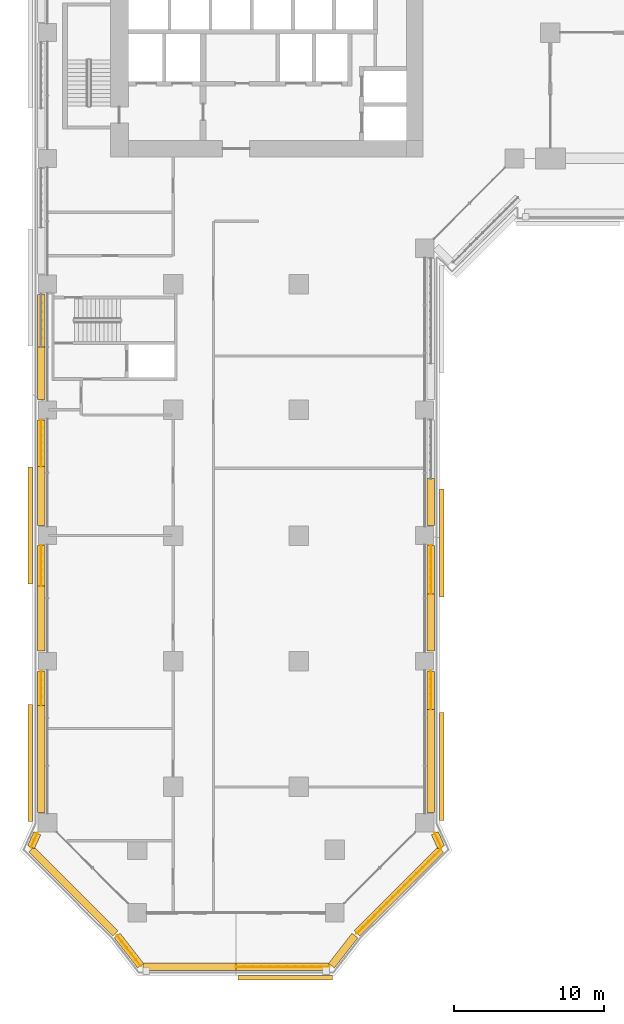
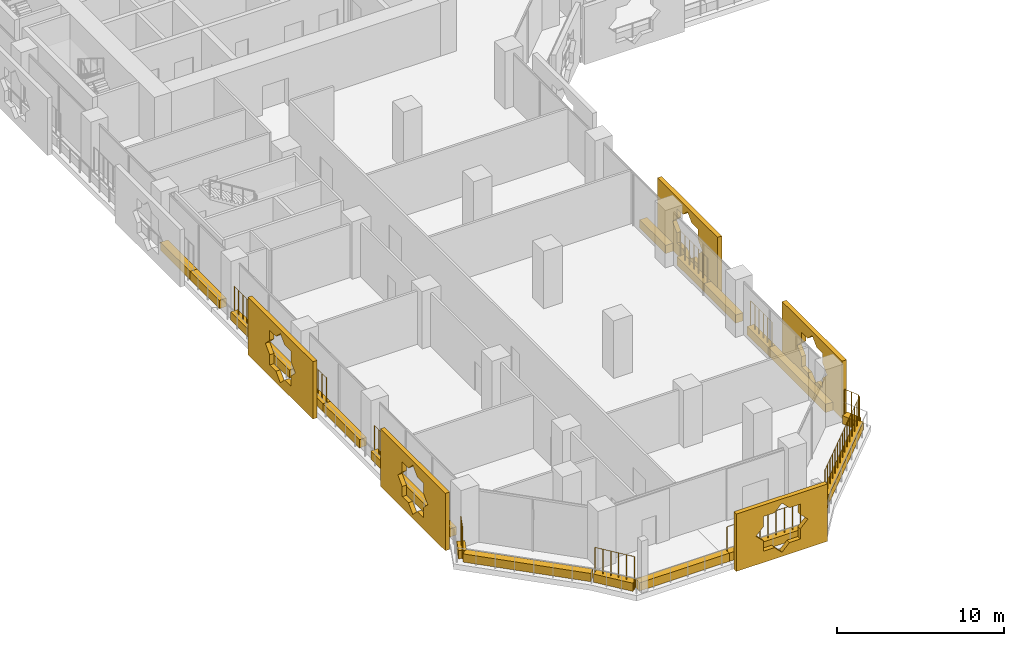
# One storey, part 18 of 27: 26 coverings, 10 railings.
"""IFC4 building model written with IfcOpenShell, lengths in metres."""

import ifcopenshell
import ifcopenshell.guid

model = None  # the IFC model being written
_history = None  # IfcOwnerHistory: only IFC2X3 demands one
_inside = {}  # id of a spatial element -> (the spatial element, [elements in it])
_under = {}  # id of a project, library or spatial element -> (it, [spatial elements below it])
_declared = {}  # id of a project -> (the project, [libraries it declares])
_typed = {}  # id of a type object -> (the type object, [elements of that type])
_made_of = {}  # id of a material, layer set ... -> (it, [elements and type objects made of it])


def new_model(schema):
    """Start an empty IFC model of exactly this schema.

    Asked for "IFC4X3", IfcOpenShell would pick the latest addendum, in which some entities
    have other attributes; the version numbers below select the first issue.
    IFC2X3 requires an IfcOwnerHistory on every rooted entity: one is made here for all.
    """
    global model, _history
    if schema == "IFC4X3":
        model = ifcopenshell.file(schema_version=(4, 3, 0, 0))
    else:
        model = ifcopenshell.file(schema=schema)
    _inside.clear()
    _under.clear()
    _declared.clear()
    _typed.clear()
    _made_of.clear()
    _history = None
    if model.schema == "IFC2X3":
        org = make("IfcOrganization", Name="unknown")
        user = make(
            "IfcPersonAndOrganization",
            ThePerson=make("IfcPerson", FamilyName="unknown"),
            TheOrganization=org,
        )
        app = make(
            "IfcApplication",
            ApplicationDeveloper=org,
            Version="unknown",
            ApplicationFullName="unknown",
            ApplicationIdentifier="unknown",
        )
        _history = make(
            "IfcOwnerHistory",
            OwningUser=user,
            OwningApplication=app,
            ChangeAction="ADDED",
            CreationDate=0,
        )
    return model


def make(cls, **values):
    """One entity of the class cls with the attributes given. An attribute that is None is left unset."""
    return model.create_entity(
        cls, **{name: value for name, value in values.items() if value is not None}
    )


def rooted(cls, **values):
    """An entity with a GlobalId (a new one), such as an element, a storey or a relation."""
    return make(cls, GlobalId=ifcopenshell.guid.new(), OwnerHistory=_history, **values)


def si_unit(unit_type, name, prefix=None):
    """IfcSIUnit, for example si_unit("LENGTHUNIT", "METRE", prefix="MILLI")."""
    return make("IfcSIUnit", UnitType=unit_type, Prefix=prefix, Name=name)


def assignment(units):
    """IfcUnitAssignment: the units of a project."""
    return None if units is None else make("IfcUnitAssignment", Units=units)


def point(xyz):
    """IfcCartesianPoint."""
    return None if xyz is None else make("IfcCartesianPoint", Coordinates=xyz)


def direction(xyz):
    """IfcDirection."""
    return None if xyz is None else make("IfcDirection", DirectionRatios=xyz)


def frame(location, z_axis=None, x_axis=None):
    """IfcAxis2Placement3D, a coordinate frame: its origin and axes. An axis left out is left unset."""
    return make(
        "IfcAxis2Placement3D",
        Location=point(location),
        Axis=direction(z_axis),
        RefDirection=direction(x_axis),
    )


def frame_2d(location, x_axis=None):
    """IfcAxis2Placement2D, a coordinate frame in the plane: its origin and x axis."""
    return make(
        "IfcAxis2Placement2D", Location=point(location), RefDirection=direction(x_axis)
    )


def origin():
    """The frame at (0, 0, 0) with its axes left unset."""
    return frame((0.0, 0.0, 0.0))


def origin_2d():
    """The frame at (0, 0) in the plane with its x axis left unset."""
    return frame_2d((0.0, 0.0))


def place(relative_to, where):
    """IfcLocalPlacement: puts the frame where relative to a parent placement (None: the world)."""
    return make(
        "IfcLocalPlacement", PlacementRelTo=relative_to, RelativePlacement=where
    )


def context(
    kind, dimensions, precision=None, world=None, true_north=None, identifier=None
):
    """IfcGeometricRepresentationContext, for example the 3D "Model" context."""
    return make(
        "IfcGeometricRepresentationContext",
        ContextIdentifier=identifier,
        ContextType=kind,
        CoordinateSpaceDimension=dimensions,
        Precision=precision,
        WorldCoordinateSystem=world,
        TrueNorth=true_north,
    )


def subcontext(parent, identifier, kind, view, scale=None):
    """IfcGeometricRepresentationSubContext, for example "Body" below "Model"."""
    return make(
        "IfcGeometricRepresentationSubContext",
        ContextIdentifier=identifier,
        ContextType=kind,
        ParentContext=parent,
        TargetScale=scale,
        TargetView=view,
    )


def project(units=None, contexts=None):
    """IfcProject with its units and contexts."""
    return rooted(
        "IfcProject",
        Name="project",
        RepresentationContexts=contexts,
        UnitsInContext=assignment(units),
    )


def spatial(cls, under=None, at=None, **own):
    """A site, building, storey or space (cls), placed at a placement, below another one or the project."""
    s = rooted(cls, ObjectPlacement=at, **own)
    if under is not None:
        _under.setdefault(under.id(), (under, []))[1].append(s)
    return s


def polyline(points):
    """IfcPolyline through the points."""
    return make("IfcPolyline", Points=[point(p) for p in points])


def profile(cls, at=None, kind="AREA", **sizes):
    """A parametric profile (cls). Its sizes go by their IFC names, for example OverallWidth=200.0."""
    return make(cls, ProfileType=kind, Position=at, **sizes)


def rectangle(**sizes):
    """IfcRectangleProfileDef."""
    return profile("IfcRectangleProfileDef", **sizes)


def circle(**sizes):
    """IfcCircleProfileDef."""
    return profile("IfcCircleProfileDef", **sizes)


def outline(outer, holes=None, kind="AREA"):
    """IfcArbitraryClosedProfileDef: a profile drawn as a closed curve; with holes, ...WithVoids."""
    if holes is None:
        return make("IfcArbitraryClosedProfileDef", ProfileType=kind, OuterCurve=outer)
    return make(
        "IfcArbitraryProfileDefWithVoids",
        ProfileType=kind,
        OuterCurve=outer,
        InnerCurves=holes,
    )


def extrude(swept, where, along, depth):
    """IfcExtrudedAreaSolid: the profile swept, set in the frame where, extruded along a direction by depth."""
    return make(
        "IfcExtrudedAreaSolid",
        SweptArea=swept,
        Position=where,
        ExtrudedDirection=direction(along),
        Depth=depth,
    )


def shape(context_of_items, identifier, shape_type, items):
    """IfcShapeRepresentation: the items that make up one representation, for example the "Body"."""
    return make(
        "IfcShapeRepresentation",
        ContextOfItems=context_of_items,
        RepresentationIdentifier=identifier,
        RepresentationType=shape_type,
        Items=items,
    )


def material(Name=None, Category=None):
    """IfcMaterial."""
    return make("IfcMaterial", Name=Name, Category=Category)


def material_profile(
    of_material, cross_section, Name=None, Category=None, Priority=None
):
    """IfcMaterialProfile: a cross section and its material."""
    return make(
        "IfcMaterialProfile",
        Name=Name,
        Material=of_material,
        Profile=cross_section,
        Priority=Priority,
        Category=Category,
    )


def profile_set(profiles, Name=None, composite=None):
    """IfcMaterialProfileSet."""
    return make(
        "IfcMaterialProfileSet",
        Name=Name,
        MaterialProfiles=profiles,
        CompositeProfile=composite,
    )


def made_of(thing, what):
    """Note that an element or type object is made of a material, layer set ...; save() writes the relation."""
    if what is not None:
        _made_of.setdefault(what.id(), (what, []))[1].append(thing)
    return thing


def type_object(cls, material=None, **own):
    """A type object (cls), such as IfcWallType, which elements share."""
    return made_of(rooted(cls, **own), material)


def element(
    cls,
    number,
    at=None,
    inside=None,
    cuts=None,
    type_object=None,
    material=None,
    context=None,
    identifier="Body",
    shape_type=None,
    held_by="IfcProductDefinitionShape",
    body=None,
    shapes=None,
    **own,
):
    """One element of the class cls, such as IfcWall. Its Tag is "e" and its number.

    at: its placement. inside: the storey or other place that contains it. cuts: it is an
    opening in that element (IfcRelVoidsElement). A single representation is given by context,
    identifier, shape_type and body (its items); several are given by shapes. held_by: the class
    of the entity that holds the representations. save() writes the other relations.
    """
    e = rooted(cls, Tag="e%d" % number, ObjectPlacement=at, **own)
    if body is not None:
        shapes = [shape(context, identifier, shape_type, body)]
    if shapes is not None:
        e.Representation = make(held_by, Representations=shapes)
    if inside is not None:
        _inside.setdefault(inside.id(), (inside, []))[1].append(e)
    if cuts is not None:
        rooted(
            "IfcRelVoidsElement", RelatingBuildingElement=cuts, RelatedOpeningElement=e
        )
    if type_object is not None:
        _typed.setdefault(type_object.id(), (type_object, []))[1].append(e)
    return made_of(e, material)


def aggregate(whole, parts):
    """IfcRelAggregates: a whole, such as a stair, and the parts it consists of."""
    return rooted("IfcRelAggregates", RelatingObject=whole, RelatedObjects=parts)


def save(model, path):
    """Write the relations noted so far, then the file.

    IfcRelAggregates (storeys below a building ...), IfcRelContainedInSpatialStructure (elements
    in a storey), IfcRelDefinesByType, IfcRelAssociatesMaterial and IfcRelDeclares: one each for
    every whole, place, type object, material and project.
    """
    for whole, parts in _under.values():
        aggregate(whole, parts)
    for where, things in _inside.values():
        rooted(
            "IfcRelContainedInSpatialStructure",
            RelatedElements=things,
            RelatingStructure=where,
        )
    for kind, things in _typed.values():
        rooted("IfcRelDefinesByType", RelatedObjects=things, RelatingType=kind)
    for what, things in _made_of.values():
        rooted("IfcRelAssociatesMaterial", RelatedObjects=things, RelatingMaterial=what)
    for by, libraries in _declared.values():
        rooted("IfcRelDeclares", RelatingContext=by, RelatedDefinitions=libraries)
    model.write(path)


model = new_model("IFC4")

# Units and contexts
model_context = context("Model", 3, precision=1e-05, world=origin(), true_north=direction((0.0, 1.0)))
body_context = subcontext(model_context, "Body", "Model", "MODEL_VIEW")
ifc_project = project(units=[si_unit("LENGTHUNIT", "METRE"), si_unit("AREAUNIT", "SQUARE_METRE"), si_unit("VOLUMEUNIT", "CUBIC_METRE"), si_unit("PLANEANGLEUNIT", "RADIAN"), si_unit("MASSUNIT", "GRAM", prefix="KILO")], contexts=[model_context])

# Site, building, storey
site_placement = place(None, origin())
site = spatial("IfcSite", under=ifc_project, at=site_placement, CompositionType="ELEMENT")
building_placement = place(site_placement, origin())
building = spatial("IfcBuilding", under=site, at=building_placement, Name="Kawkab Arch Medical Tower", CompositionType="ELEMENT")
storey_placement = place(building_placement, frame((0.0, 0.0, 39.199951171875)))
storey = spatial("IfcBuildingStorey", under=building, at=storey_placement, Name="L08", CompositionType="ELEMENT", Elevation=39.199951171875)

# Coverings
ifc_material_1 = material(Name="Bronze anodised aluminium mashrabiya panel, eight-point star pattern", Category="aluminium")
ifc_material_profile_1 = material_profile(ifc_material_1, outline(polyline([(-3.14990234375, -2.10009765625), (3.14990234375, -2.10009765625), (3.14990234375, 2.10009765625), (-3.14990234375, 2.10009765625), (-3.14990234375, -2.10009765625)]), holes=[polyline([(1.800048828125, 0.0), (1.272705078125, 0.527099609375), (1.272705078125, 1.272705078125), (0.527099609375, 1.272705078125), (0.0, 1.800048828125), (-0.527099609375, 1.272705078125), (-1.272705078125, 1.272705078125), (-1.272705078125, 0.527099609375), (-1.800048828125, 0.0), (-1.272705078125, -0.527099609375), (-1.272705078125, -1.272705078125), (-0.527099609375, -1.272705078125), (0.0, -1.800048828125), (0.527099609375, -1.272705078125), (1.272705078125, -1.272705078125), (1.272705078125, -0.527099609375), (1.800048828125, 0.0)])]), Name="Mashrabiya panel 6300x4200")
ifc_profile_set_1 = profile_set([ifc_material_profile_1], Name="Bronze anodised aluminium mashrabiya panel, eight-point star pattern")
covering_type_1 = type_object("IfcCoveringType", Name="Mashrabiya panel 6300 x 4200", PredefinedType="USERDEFINED", material=ifc_profile_set_1)
covering_1_placement = place(storey_placement, frame((15.877685546875, -79.800048828125, 1.699951171875), z_axis=(0.0, -1.0, 0.0), x_axis=(1.0, 0.0, 0.0)))
element("IfcCovering", 1, at=covering_1_placement, inside=storey, type_object=covering_type_1, Name="Mashrabiya panel L08.LOG-01-01.1", ObjectType="SCREEN", PredefinedType="USERDEFINED", context=body_context, shape_type="SweptSolid", body=[
    extrude(outline(polyline([(-3.14990234375, -2.10009765625), (3.14990234375, -2.10009765625), (3.14990234375, 2.10009765625), (-3.14990234375, 2.10009765625), (-3.14990234375, -2.10009765625)]), holes=[polyline([(1.800048828125, 0.0), (1.272705078125, 0.527099609375), (1.272705078125, 1.272705078125), (0.527099609375, 1.272705078125), (0.0, 1.800048828125), (-0.527099609375, 1.272705078125), (-1.272705078125, 1.272705078125), (-1.272705078125, 0.527099609375), (-1.800048828125, 0.0), (-1.272705078125, -0.527099609375), (-1.272705078125, -1.272705078125), (-0.527099609375, -1.272705078125), (0.0, -1.800048828125), (0.527099609375, -1.272705078125), (1.272705078125, -1.272705078125), (1.272705078125, -0.527099609375), (1.800048828125, 0.0)])]), origin(), (0.0, 0.0, 1.0), 0.300048828125),
])
ifc_material_2 = material(Name="Bronze anodised aluminium mashrabiya panel, eight-point star pattern", Category="aluminium")
ifc_material_profile_2 = material_profile(ifc_material_2, outline(polyline([(-3.60009765625, -2.10009765625), (3.60009765625, -2.10009765625), (3.60009765625, 2.10009765625), (-3.60009765625, 2.10009765625), (-3.60009765625, -2.10009765625)]), holes=[polyline([(1.800048828125, 0.0), (1.272705078125, 0.527099609375), (1.272705078125, 1.272705078125), (0.527099609375, 1.272705078125), (0.0, 1.800048828125), (-0.527099609375, 1.272705078125), (-1.272705078125, 1.272705078125), (-1.272705078125, 0.527099609375), (-1.800048828125, 0.0), (-1.272705078125, -0.527099609375), (-1.272705078125, -1.272705078125), (-0.527099609375, -1.272705078125), (0.0, -1.800048828125), (0.527099609375, -1.272705078125), (1.272705078125, -1.272705078125), (1.272705078125, -0.527099609375), (1.800048828125, 0.0)])]), Name="Mashrabiya panel 7200x4200")
ifc_profile_set_2 = profile_set([ifc_material_profile_2], Name="Bronze anodised aluminium mashrabiya panel, eight-point star pattern")
covering_type_2 = type_object("IfcCoveringType", Name="Mashrabiya panel 7200 x 4200", PredefinedType="USERDEFINED", material=ifc_profile_set_2)
for number, where, z_axis, x_axis, name in (
    (2, (26.199951171875, -50.892333984375, 1.699951171875), (1.0, 0.0, 0.0), (0.0, 1.0, 0.0), "Mashrabiya panel L08.LOG-01-01.17"),
    (3, (26.199951171875, -65.840087890625, 1.699951171875), (1.0, 0.0, 0.0), (0.0, 1.0, 0.0), "Mashrabiya panel L08.LOG-01-01.18"),
):
    element("IfcCovering", number, at=place(storey_placement, frame(where, z_axis=z_axis, x_axis=x_axis)), inside=storey, type_object=covering_type_2, Name=name, ObjectType="SCREEN", PredefinedType="USERDEFINED", context=body_context, shape_type="SweptSolid", body=[
        extrude(outline(polyline([(-3.60009765625, -2.10009765625), (3.60009765625, -2.10009765625), (3.60009765625, 2.10009765625), (-3.60009765625, 2.10009765625), (-3.60009765625, -2.10009765625)]), holes=[polyline([(1.800048828125, 0.0), (1.272705078125, 0.527099609375), (1.272705078125, 1.272705078125), (0.527099609375, 1.272705078125), (0.0, 1.800048828125), (-0.527099609375, 1.272705078125), (-1.272705078125, 1.272705078125), (-1.272705078125, 0.527099609375), (-1.800048828125, 0.0), (-1.272705078125, -0.527099609375), (-1.272705078125, -1.272705078125), (-0.527099609375, -1.272705078125), (0.0, -1.800048828125), (0.527099609375, -1.272705078125), (1.272705078125, -1.272705078125), (1.272705078125, -0.527099609375), (1.800048828125, 0.0)])]), origin(), (0.0, 0.0, 1.0), 0.300048828125),
    ])
ifc_material_3 = material(Name="Bronze anodised aluminium mashrabiya panel, eight-point star pattern", Category="aluminium")
ifc_material_profile_3 = material_profile(ifc_material_3, outline(polyline([(-3.89990234375, -2.10009765625), (3.89990234375, -2.10009765625), (3.89990234375, 2.10009765625), (-3.89990234375, 2.10009765625), (-3.89990234375, -2.10009765625)]), holes=[polyline([(1.800048828125, 0.0), (1.272705078125, 0.527099609375), (1.272705078125, 1.272705078125), (0.527099609375, 1.272705078125), (0.0, 1.800048828125), (-0.527099609375, 1.272705078125), (-1.272705078125, 1.272705078125), (-1.272705078125, 0.527099609375), (-1.800048828125, 0.0), (-1.272705078125, -0.527099609375), (-1.272705078125, -1.272705078125), (-0.527099609375, -1.272705078125), (0.0, -1.800048828125), (0.527099609375, -1.272705078125), (1.272705078125, -1.272705078125), (1.272705078125, -0.527099609375), (1.800048828125, 0.0)])]), Name="Mashrabiya panel 7800x4200")
ifc_profile_set_3 = profile_set([ifc_material_profile_3], Name="Bronze anodised aluminium mashrabiya panel, eight-point star pattern")
covering_type_3 = type_object("IfcCoveringType", Name="Mashrabiya panel 7800 x 4200", PredefinedType="USERDEFINED", material=ifc_profile_set_3)
for number, where, z_axis, x_axis, name in (
    (4, (-1.0, -65.60693359375, 1.699951171875), (-1.0, 0.0, 0.0), (0.0, -1.0, 0.0), "Mashrabiya panel L08.LOG-01-01.2"),
    (5, (-1.0, -49.725830078125, 1.699951171875), (-1.0, 0.0, 0.0), (0.0, -1.0, 0.0), "Mashrabiya panel L08.LOG-01-01.3"),
):
    element("IfcCovering", number, at=place(storey_placement, frame(where, z_axis=z_axis, x_axis=x_axis)), inside=storey, type_object=covering_type_3, Name=name, ObjectType="SCREEN", PredefinedType="USERDEFINED", context=body_context, shape_type="SweptSolid", body=[
        extrude(outline(polyline([(-3.89990234375, -2.10009765625), (3.89990234375, -2.10009765625), (3.89990234375, 2.10009765625), (-3.89990234375, 2.10009765625), (-3.89990234375, -2.10009765625)]), holes=[polyline([(1.800048828125, 0.0), (1.272705078125, 0.527099609375), (1.272705078125, 1.272705078125), (0.527099609375, 1.272705078125), (0.0, 1.800048828125), (-0.527099609375, 1.272705078125), (-1.272705078125, 1.272705078125), (-1.272705078125, 0.527099609375), (-1.800048828125, 0.0), (-1.272705078125, -0.527099609375), (-1.272705078125, -1.272705078125), (-0.527099609375, -1.272705078125), (0.0, -1.800048828125), (0.527099609375, -1.272705078125), (1.272705078125, -1.272705078125), (1.272705078125, -0.527099609375), (1.800048828125, 0.0)])]), origin(), (0.0, 0.0, 1.0), 0.300048828125),
    ])
ifc_material_4 = material(Name="Planting soil in a precast trough", Category="concrete")
ifc_material_profile_4 = material_profile(ifc_material_4, rectangle(XDim=0.5, YDim=0.60009765625, at=origin_2d()), Name="Trough 500x600")
ifc_profile_set_4 = profile_set([ifc_material_profile_4], Name="Planting soil in a precast trough")
covering_type_4 = type_object("IfcCoveringType", Name="Planter trough 500 x 600", PredefinedType="USERDEFINED", material=ifc_profile_set_4)
covering_2_placement = place(storey_placement, frame((26.27294921875, -71.383056640625, 0.300048828125), z_axis=(-0.707106781187, -0.707106781187, 0.0), x_axis=(0.707106781187, -0.707106781187, 0.0)))
element("IfcCovering", 6, at=covering_2_placement, inside=storey, type_object=covering_type_4, Name="Planter L08.LOG-01-01.1", ObjectType="PLANTER", PredefinedType="USERDEFINED", context=body_context, shape_type="SweptSolid", body=[
    extrude(rectangle(XDim=0.5, YDim=0.60009765625, at=origin_2d()), origin(), (0.0, 0.0, 1.0), 7.91943359375),
])
covering_3_placement = place(storey_placement, frame((20.541015625, -77.132080078125, 0.300048828125), z_axis=(-0.61404021143, -0.789274742246, 0.0), x_axis=(0.789274742246, -0.61404021143, 0.0)))
element("IfcCovering", 7, at=covering_3_placement, inside=storey, type_object=covering_type_4, Name="Planter L08.LOG-01-01.2", ObjectType="PLANTER", PredefinedType="USERDEFINED", context=body_context, shape_type="SweptSolid", body=[
    extrude(rectangle(XDim=0.5, YDim=0.60009765625, at=origin_2d()), origin(), (0.0, 0.0, 1.0), 2.54541015625),
])
covering_4_placement = place(storey_placement, frame((18.81591796875, -79.219970703125, 0.300048828125), z_axis=(-1.0, 0.0, 0.0), x_axis=(0.0, -1.0, 0.0)))
element("IfcCovering", 8, at=covering_4_placement, inside=storey, type_object=covering_type_4, Name="Planter L08.LOG-01-01.3", ObjectType="PLANTER", PredefinedType="USERDEFINED", context=body_context, shape_type="SweptSolid", body=[
    extrude(rectangle(XDim=0.5, YDim=0.60009765625, at=origin_2d()), origin(), (0.0, 0.0, 1.0), 6.2158203125),
])
covering_5_placement = place(storey_placement, frame((12.60009765625, -79.219970703125, 0.300048828125), z_axis=(-1.0, 0.0, 0.0), x_axis=(0.0, -1.0, 0.0)))
element("IfcCovering", 9, at=covering_5_placement, inside=storey, type_object=covering_type_4, Name="Planter L08.LOG-01-01.4", ObjectType="PLANTER", PredefinedType="USERDEFINED", context=body_context, shape_type="SweptSolid", body=[
    extrude(rectangle(XDim=0.5, YDim=0.60009765625, at=origin_2d()), origin(), (0.0, 0.0, 1.0), 6.216064453125),
])
covering_6_placement = place(storey_placement, frame((6.221923828125, -79.14111328125, 0.300048828125), z_axis=(-0.61404021143, 0.789274742246, 0.0), x_axis=(-0.789274742246, -0.61404021143, 0.0)))
element("IfcCovering", 10, at=covering_6_placement, inside=storey, type_object=covering_type_4, Name="Planter L08.LOG-01-01.5", ObjectType="PLANTER", PredefinedType="USERDEFINED", context=body_context, shape_type="SweptSolid", body=[
    extrude(rectangle(XDim=0.5, YDim=0.60009765625, at=origin_2d()), origin(), (0.0, 0.0, 1.0), 2.54541015625),
])
covering_7_placement = place(storey_placement, frame((4.527099609375, -76.98291015625, 0.300048828125), z_axis=(-0.70712219479, 0.707091367247, 0.0), x_axis=(-0.707091367247, -0.70712219479, 0.0)))
element("IfcCovering", 11, at=covering_7_placement, inside=storey, type_object=covering_type_4, Name="Planter L08.LOG-01-01.6", ObjectType="PLANTER", PredefinedType="USERDEFINED", context=body_context, shape_type="SweptSolid", body=[
    extrude(rectangle(XDim=0.5, YDim=0.60009765625, at=origin_2d()), origin(), (0.0, 0.0, 1.0), 7.919677734375),
])
covering_8_placement = place(storey_placement, frame((-1.10205078125, -71.220947265625, 0.300048828125), z_axis=(0.415162454874, 0.909747292419, 0.0), x_axis=(-0.909747292419, 0.415162454874, 0.0)))
element("IfcCovering", 12, at=covering_8_placement, inside=storey, type_object=covering_type_4, Name="Planter L08.LOG-01-01.7", ObjectType="PLANTER", PredefinedType="USERDEFINED", context=body_context, shape_type="SweptSolid", body=[
    extrude(rectangle(XDim=0.5, YDim=0.60009765625, at=origin_2d()), origin(), (0.0, 0.0, 1.0), 1.014404296875),
])
covering_9_placement = place(storey_placement, frame((-0.419921875, -68.89501953125, 0.300048828125), z_axis=(0.0, 1.0, 0.0), x_axis=(-1.0, 0.0, 0.0)))
element("IfcCovering", 13, at=covering_9_placement, inside=storey, type_object=covering_type_4, Name="Planter L08.LOG-01-01.8", ObjectType="PLANTER", PredefinedType="USERDEFINED", context=body_context, shape_type="SweptSolid", body=[
    extrude(rectangle(XDim=0.5, YDim=0.60009765625, at=origin_2d()), origin(), (0.0, 0.0, 1.0), 7.151123046875),
])
covering_10_placement = place(storey_placement, frame((-0.419921875, -61.743896484375, 0.300048828125), z_axis=(0.0, 1.0, 0.0), x_axis=(-1.0, 0.0, 0.0)))
element("IfcCovering", 14, at=covering_10_placement, inside=storey, type_object=covering_type_4, Name="Planter L08.LOG-01-01.9", ObjectType="PLANTER", PredefinedType="USERDEFINED", context=body_context, shape_type="SweptSolid", body=[
    extrude(rectangle(XDim=0.5, YDim=0.60009765625, at=origin_2d()), origin(), (0.0, 0.0, 1.0), 2.263916015625),
])
covering_11_placement = place(storey_placement, frame((-0.419921875, -58.1201171875, 0.300048828125), z_axis=(0.0, 1.0, 0.0), x_axis=(-1.0, 0.0, 0.0)))
element("IfcCovering", 15, at=covering_11_placement, inside=storey, type_object=covering_type_4, Name="Planter L08.LOG-01-01.10", ObjectType="PLANTER", PredefinedType="USERDEFINED", context=body_context, shape_type="SweptSolid", body=[
    extrude(rectangle(XDim=0.5, YDim=0.60009765625, at=origin_2d()), origin(), (0.0, 0.0, 1.0), 4.357177734375),
])
covering_12_placement = place(storey_placement, frame((-0.419921875, -53.762939453125, 0.300048828125), z_axis=(0.0, 1.0, 0.0), x_axis=(-1.0, 0.0, 0.0)))
element("IfcCovering", 16, at=covering_12_placement, inside=storey, type_object=covering_type_4, Name="Planter L08.LOG-01-01.11", ObjectType="PLANTER", PredefinedType="USERDEFINED", context=body_context, shape_type="SweptSolid", body=[
    extrude(rectangle(XDim=0.5, YDim=0.60009765625, at=origin_2d()), origin(), (0.0, 0.0, 1.0), 2.682861328125),
])
covering_13_placement = place(storey_placement, frame((-0.419921875, -49.719970703125, 0.300048828125), z_axis=(0.0, 1.0, 0.0), x_axis=(-1.0, 0.0, 0.0)))
element("IfcCovering", 17, at=covering_13_placement, inside=storey, type_object=covering_type_4, Name="Planter L08.LOG-01-01.12", ObjectType="PLANTER", PredefinedType="USERDEFINED", context=body_context, shape_type="SweptSolid", body=[
    extrude(rectangle(XDim=0.5, YDim=0.60009765625, at=origin_2d()), origin(), (0.0, 0.0, 1.0), 3.93896484375),
])
covering_14_placement = place(storey_placement, frame((-0.419921875, -45.781005859375, 0.300048828125), z_axis=(0.0, 1.0, 0.0), x_axis=(-1.0, 0.0, 0.0)))
element("IfcCovering", 18, at=covering_14_placement, inside=storey, type_object=covering_type_4, Name="Planter L08.LOG-01-01.13", ObjectType="PLANTER", PredefinedType="USERDEFINED", context=body_context, shape_type="SweptSolid", body=[
    extrude(rectangle(XDim=0.5, YDim=0.60009765625, at=origin_2d()), origin(), (0.0, 0.0, 1.0), 3.10107421875),
])
for number, where, z_axis, x_axis, name in (
    (19, (-0.419921875, -41.320068359375, 0.300048828125), (0.0, 1.0, 0.0), (-1.0, 0.0, 0.0), "Planter L08.LOG-01-01.14"),
    (20, (-0.419921875, -37.800048828125, 0.300048828125), (0.0, 1.0, 0.0), (-1.0, 0.0, 0.0), "Planter L08.LOG-01-01.15"),
):
    element("IfcCovering", number, at=place(storey_placement, frame(where, z_axis=z_axis, x_axis=x_axis)), inside=storey, type_object=covering_type_4, Name=name, ObjectType="PLANTER", PredefinedType="USERDEFINED", context=body_context, shape_type="SweptSolid", body=[
        extrude(rectangle(XDim=0.5, YDim=0.60009765625, at=origin_2d()), origin(), (0.0, 0.0, 1.0), 3.52001953125),
    ])
covering_15_placement = place(storey_placement, frame((25.6201171875, -46.60107421875, 0.300048828125), z_axis=(0.0, -1.0, 0.0), x_axis=(1.0, 0.0, 0.0)))
element("IfcCovering", 21, at=covering_15_placement, inside=storey, type_object=covering_type_4, Name="Planter L08.LOG-01-01.52", ObjectType="PLANTER", PredefinedType="USERDEFINED", context=body_context, shape_type="SweptSolid", body=[
    extrude(rectangle(XDim=0.5, YDim=0.60009765625, at=origin_2d()), origin(), (0.0, 0.0, 1.0), 3.118896484375),
])
covering_16_placement = place(storey_placement, frame((25.6201171875, -51.080078125, 0.300048828125), z_axis=(0.0, -1.0, 0.0), x_axis=(1.0, 0.0, 0.0)))
element("IfcCovering", 22, at=covering_16_placement, inside=storey, type_object=covering_type_4, Name="Planter L08.LOG-01-01.53", ObjectType="PLANTER", PredefinedType="USERDEFINED", context=body_context, shape_type="SweptSolid", body=[
    extrude(rectangle(XDim=0.5, YDim=0.60009765625, at=origin_2d()), origin(), (0.0, 0.0, 1.0), 3.22900390625),
])
covering_17_placement = place(storey_placement, frame((25.6201171875, -54.30908203125, 0.300048828125), z_axis=(0.0, -1.0, 0.0), x_axis=(1.0, 0.0, 0.0)))
element("IfcCovering", 23, at=covering_17_placement, inside=storey, type_object=covering_type_4, Name="Planter L08.LOG-01-01.54", ObjectType="PLANTER", PredefinedType="USERDEFINED", context=body_context, shape_type="SweptSolid", body=[
    extrude(rectangle(XDim=0.5, YDim=0.60009765625, at=origin_2d()), origin(), (0.0, 0.0, 1.0), 3.81103515625),
])
covering_18_placement = place(storey_placement, frame((25.6201171875, -59.47998046875, 0.300048828125), z_axis=(0.0, -1.0, 0.0), x_axis=(1.0, 0.0, 0.0)))
element("IfcCovering", 24, at=covering_18_placement, inside=storey, type_object=covering_type_4, Name="Planter L08.LOG-01-01.55", ObjectType="PLANTER", PredefinedType="USERDEFINED", context=body_context, shape_type="SweptSolid", body=[
    extrude(rectangle(XDim=0.5, YDim=0.60009765625, at=origin_2d()), origin(), (0.0, 0.0, 1.0), 2.5380859375),
])
covering_19_placement = place(storey_placement, frame((25.6201171875, -62.01806640625, 0.300048828125), z_axis=(0.0, -1.0, 0.0), x_axis=(1.0, 0.0, 0.0)))
element("IfcCovering", 25, at=covering_19_placement, inside=storey, type_object=covering_type_4, Name="Planter L08.LOG-01-01.56", ObjectType="PLANTER", PredefinedType="USERDEFINED", context=body_context, shape_type="SweptSolid", body=[
    extrude(rectangle(XDim=0.5, YDim=0.60009765625, at=origin_2d()), origin(), (0.0, 0.0, 1.0), 6.876953125),
])
covering_20_placement = place(storey_placement, frame((25.881103515625, -70.298095703125, 0.300048828125), z_axis=(0.414963233652, -0.909838180512, 0.0), x_axis=(0.909838180512, 0.414963233652, 0.0)))
element("IfcCovering", 26, at=covering_20_placement, inside=storey, type_object=covering_type_4, Name="Planter L08.LOG-01-01.57", ObjectType="PLANTER", PredefinedType="USERDEFINED", context=body_context, shape_type="SweptSolid", body=[
    extrude(rectangle(XDim=0.5, YDim=0.60009765625, at=origin_2d()), origin(), (0.0, 0.0, 1.0), 1.014404296875),
])

# Railings
ifc_material_5 = material(Name="Bronze anodised aluminium trellis for climbing plants", Category="aluminium")
railing_type = type_object("IfcRailingType", Name="Planting trellis 2400", PredefinedType="USERDEFINED", material=ifc_material_5)
railing_1_placement = place(storey_placement, frame((26.27294921875, -71.383056640625, 0.0)))
element("IfcRailing", 27, at=railing_1_placement, inside=storey, type_object=railing_type, Name="Planting trellis L08.LOG-01-01.1", ObjectType="TRELLIS", PredefinedType="USERDEFINED", context=body_context, shape_type="SweptSolid", body=[
    extrude(circle(Radius=0.01513671875, at=origin_2d()), frame((0.0, 0.0, 2.384765625), z_axis=(-0.707106781187, -0.707106781187, 0.0), x_axis=(0.707106781187, -0.707106781187, 0.0)), (0.0, 0.0, 1.0), 7.91943359375),
    extrude(circle(Radius=0.030029296875, at=origin_2d()), origin(), (0.0, 0.0, 1.0), 2.369873046875),
    extrude(circle(Radius=0.030029296875, at=origin_2d()), frame((-0.39990234375, -0.39990234375, 0.0)), (0.0, 0.0, 1.0), 2.369873046875),
    extrude(circle(Radius=0.030029296875, at=origin_2d()), frame((-0.800048828125, -0.800048828125, 0.0)), (0.0, 0.0, 1.0), 2.369873046875),
    extrude(circle(Radius=0.030029296875, at=origin_2d()), frame((-1.199951171875, -1.199951171875, 0.0)), (0.0, 0.0, 1.0), 2.369873046875),
    extrude(circle(Radius=0.030029296875, at=origin_2d()), frame((-1.599853515625, -1.599853515625, 0.0)), (0.0, 0.0, 1.0), 2.369873046875),
    extrude(circle(Radius=0.030029296875, at=origin_2d()), frame((-2.0, -2.0, 0.0)), (0.0, 0.0, 1.0), 2.369873046875),
    extrude(circle(Radius=0.030029296875, at=origin_2d()), frame((-2.39990234375, -2.39990234375, 0.0)), (0.0, 0.0, 1.0), 2.369873046875),
    extrude(circle(Radius=0.030029296875, at=origin_2d()), frame((-2.7998046875, -2.7998046875, 0.0)), (0.0, 0.0, 1.0), 2.369873046875),
    extrude(circle(Radius=0.030029296875, at=origin_2d()), frame((-3.199951171875, -3.199951171875, 0.0)), (0.0, 0.0, 1.0), 2.369873046875),
    extrude(circle(Radius=0.030029296875, at=origin_2d()), frame((-3.599853515625, -3.599853515625, 0.0)), (0.0, 0.0, 1.0), 2.369873046875),
    extrude(circle(Radius=0.030029296875, at=origin_2d()), frame((-4.0, -4.0, 0.0)), (0.0, 0.0, 1.0), 2.369873046875),
    extrude(circle(Radius=0.030029296875, at=origin_2d()), frame((-4.39990234375, -4.39990234375, 0.0)), (0.0, 0.0, 1.0), 2.369873046875),
    extrude(circle(Radius=0.030029296875, at=origin_2d()), frame((-4.7998046875, -4.7998046875, 0.0)), (0.0, 0.0, 1.0), 2.369873046875),
    extrude(circle(Radius=0.030029296875, at=origin_2d()), frame((-5.199951171875, -5.199951171875, 0.0)), (0.0, 0.0, 1.0), 2.369873046875),
    extrude(circle(Radius=0.030029296875, at=origin_2d()), frame((-5.599853515625, -5.599853515625, 0.0)), (0.0, 0.0, 1.0), 2.369873046875),
])
railing_2_placement = place(storey_placement, frame((18.81591796875, -79.219970703125, 0.0)))
element("IfcRailing", 28, at=railing_2_placement, inside=storey, type_object=railing_type, Name="Planting trellis L08.LOG-01-01.3", ObjectType="TRELLIS", PredefinedType="USERDEFINED", context=body_context, shape_type="SweptSolid", body=[
    extrude(circle(Radius=0.01513671875, at=origin_2d()), frame((0.0, 0.0, 2.384765625), z_axis=(-1.0, 0.0, 0.0), x_axis=(0.0, -1.0, 0.0)), (0.0, 0.0, 1.0), 6.2158203125),
    extrude(circle(Radius=0.030029296875, at=origin_2d()), origin(), (0.0, 0.0, 1.0), 2.369873046875),
    extrude(circle(Radius=0.030029296875, at=origin_2d()), frame((-0.565185546875, 0.0, 0.0)), (0.0, 0.0, 1.0), 2.369873046875),
    extrude(circle(Radius=0.030029296875, at=origin_2d()), frame((-1.130126953125, 0.0, 0.0)), (0.0, 0.0, 1.0), 2.369873046875),
    extrude(circle(Radius=0.030029296875, at=origin_2d()), frame((-1.6953125, 0.0, 0.0)), (0.0, 0.0, 1.0), 2.369873046875),
    extrude(circle(Radius=0.030029296875, at=origin_2d()), frame((-2.26025390625, 0.0, 0.0)), (0.0, 0.0, 1.0), 2.369873046875),
    extrude(circle(Radius=0.030029296875, at=origin_2d()), frame((-2.825439453125, 0.0, 0.0)), (0.0, 0.0, 1.0), 2.369873046875),
    extrude(circle(Radius=0.030029296875, at=origin_2d()), frame((-3.390380859375, 0.0, 0.0)), (0.0, 0.0, 1.0), 2.369873046875),
    extrude(circle(Radius=0.030029296875, at=origin_2d()), frame((-3.95556640625, 0.0, 0.0)), (0.0, 0.0, 1.0), 2.369873046875),
    extrude(circle(Radius=0.030029296875, at=origin_2d()), frame((-4.5205078125, 0.0, 0.0)), (0.0, 0.0, 1.0), 2.369873046875),
    extrude(circle(Radius=0.030029296875, at=origin_2d()), frame((-5.085693359375, 0.0, 0.0)), (0.0, 0.0, 1.0), 2.369873046875),
    extrude(circle(Radius=0.030029296875, at=origin_2d()), frame((-5.650634765625, 0.0, 0.0)), (0.0, 0.0, 1.0), 2.369873046875),
    extrude(circle(Radius=0.030029296875, at=origin_2d()), frame((-6.2158203125, 0.0, 0.0)), (0.0, 0.0, 1.0), 2.369873046875),
])
railing_3_placement = place(storey_placement, frame((6.221923828125, -79.14111328125, 0.0)))
element("IfcRailing", 29, at=railing_3_placement, inside=storey, type_object=railing_type, Name="Planting trellis L08.LOG-01-01.5", ObjectType="TRELLIS", PredefinedType="USERDEFINED", context=body_context, shape_type="SweptSolid", body=[
    extrude(circle(Radius=0.01513671875, at=origin_2d()), frame((0.0, 0.0, 2.384765625), z_axis=(-0.61404021143, 0.789274742246, 0.0), x_axis=(-0.789274742246, -0.61404021143, 0.0)), (0.0, 0.0, 1.0), 2.54541015625),
    extrude(circle(Radius=0.030029296875, at=origin_2d()), origin(), (0.0, 0.0, 1.0), 2.369873046875),
    extrude(circle(Radius=0.030029296875, at=origin_2d()), frame((-0.3125, 0.40185546875, 0.0)), (0.0, 0.0, 1.0), 2.369873046875),
    extrude(circle(Radius=0.030029296875, at=origin_2d()), frame((-0.625244140625, 0.8037109375, 0.0)), (0.0, 0.0, 1.0), 2.369873046875),
    extrude(circle(Radius=0.030029296875, at=origin_2d()), frame((-0.937744140625, 1.205322265625, 0.0)), (0.0, 0.0, 1.0), 2.369873046875),
    extrude(circle(Radius=0.030029296875, at=origin_2d()), frame((-1.25048828125, 1.607177734375, 0.0)), (0.0, 0.0, 1.0), 2.369873046875),
    extrude(circle(Radius=0.030029296875, at=origin_2d()), frame((-1.56298828125, 2.009033203125, 0.0)), (0.0, 0.0, 1.0), 2.369873046875),
])
railing_4_placement = place(storey_placement, frame((-1.10205078125, -71.220947265625, 0.0)))
element("IfcRailing", 30, at=railing_4_placement, inside=storey, type_object=railing_type, Name="Planting trellis L08.LOG-01-01.7", ObjectType="TRELLIS", PredefinedType="USERDEFINED", context=body_context, shape_type="SweptSolid", body=[
    extrude(circle(Radius=0.01513671875, at=origin_2d()), frame((0.0, 0.0, 2.384765625), z_axis=(0.415162454874, 0.909747292419, 0.0), x_axis=(-0.909747292419, 0.415162454874, 0.0)), (0.0, 0.0, 1.0), 1.014404296875),
    extrude(circle(Radius=0.030029296875, at=origin_2d()), origin(), (0.0, 0.0, 1.0), 2.369873046875),
    extrude(circle(Radius=0.030029296875, at=origin_2d()), frame((0.21044921875, 0.46142578125, 0.0)), (0.0, 0.0, 1.0), 2.369873046875),
    extrude(circle(Radius=0.030029296875, at=origin_2d()), frame((0.421142578125, 0.9228515625, 0.0)), (0.0, 0.0, 1.0), 2.369873046875),
])
railing_5_placement = place(storey_placement, frame((-0.419921875, -61.743896484375, 0.0)))
element("IfcRailing", 31, at=railing_5_placement, inside=storey, type_object=railing_type, Name="Planting trellis L08.LOG-01-01.9", ObjectType="TRELLIS", PredefinedType="USERDEFINED", context=body_context, shape_type="SweptSolid", body=[
    extrude(circle(Radius=0.01513671875, at=origin_2d()), frame((0.0, 0.0, 2.384765625), z_axis=(0.0, 1.0, 0.0), x_axis=(-1.0, 0.0, 0.0)), (0.0, 0.0, 1.0), 2.263916015625),
    extrude(circle(Radius=0.030029296875, at=origin_2d()), origin(), (0.0, 0.0, 1.0), 2.369873046875),
    extrude(circle(Radius=0.030029296875, at=origin_2d()), frame((0.0, 0.56591796875, 0.0)), (0.0, 0.0, 1.0), 2.369873046875),
    extrude(circle(Radius=0.030029296875, at=origin_2d()), frame((0.0, 1.1318359375, 0.0)), (0.0, 0.0, 1.0), 2.369873046875),
    extrude(circle(Radius=0.030029296875, at=origin_2d()), frame((0.0, 1.697998046875, 0.0)), (0.0, 0.0, 1.0), 2.369873046875),
    extrude(circle(Radius=0.030029296875, at=origin_2d()), frame((0.0, 2.263916015625, 0.0)), (0.0, 0.0, 1.0), 2.369873046875),
])
railing_6_placement = place(storey_placement, frame((-0.419921875, -53.762939453125, 0.0)))
element("IfcRailing", 32, at=railing_6_placement, inside=storey, type_object=railing_type, Name="Planting trellis L08.LOG-01-01.11", ObjectType="TRELLIS", PredefinedType="USERDEFINED", context=body_context, shape_type="SweptSolid", body=[
    extrude(circle(Radius=0.01513671875, at=origin_2d()), frame((0.0, 0.0, 2.384765625), z_axis=(0.0, 1.0, 0.0), x_axis=(-1.0, 0.0, 0.0)), (0.0, 0.0, 1.0), 2.682861328125),
    extrude(circle(Radius=0.030029296875, at=origin_2d()), origin(), (0.0, 0.0, 1.0), 2.369873046875),
    extrude(circle(Radius=0.030029296875, at=origin_2d()), frame((0.0, 0.53662109375, 0.0)), (0.0, 0.0, 1.0), 2.369873046875),
    extrude(circle(Radius=0.030029296875, at=origin_2d()), frame((0.0, 1.0732421875, 0.0)), (0.0, 0.0, 1.0), 2.369873046875),
    extrude(circle(Radius=0.030029296875, at=origin_2d()), frame((0.0, 1.609619140625, 0.0)), (0.0, 0.0, 1.0), 2.369873046875),
    extrude(circle(Radius=0.030029296875, at=origin_2d()), frame((0.0, 2.146240234375, 0.0)), (0.0, 0.0, 1.0), 2.369873046875),
    extrude(circle(Radius=0.030029296875, at=origin_2d()), frame((0.0, 2.682861328125, 0.0)), (0.0, 0.0, 1.0), 2.369873046875),
])
railing_7_placement = place(storey_placement, frame((-0.419921875, -45.781005859375, 0.0)))
element("IfcRailing", 33, at=railing_7_placement, inside=storey, type_object=railing_type, Name="Planting trellis L08.LOG-01-01.13", ObjectType="TRELLIS", PredefinedType="USERDEFINED", context=body_context, shape_type="SweptSolid", body=[
    extrude(circle(Radius=0.01513671875, at=origin_2d()), frame((0.0, 0.0, 2.384765625), z_axis=(0.0, 1.0, 0.0), x_axis=(-1.0, 0.0, 0.0)), (0.0, 0.0, 1.0), 3.10107421875),
    extrude(circle(Radius=0.030029296875, at=origin_2d()), origin(), (0.0, 0.0, 1.0), 2.369873046875),
    extrude(circle(Radius=0.030029296875, at=origin_2d()), frame((0.0, 0.516845703125, 0.0)), (0.0, 0.0, 1.0), 2.369873046875),
    extrude(circle(Radius=0.030029296875, at=origin_2d()), frame((0.0, 1.03369140625, 0.0)), (0.0, 0.0, 1.0), 2.369873046875),
    extrude(circle(Radius=0.030029296875, at=origin_2d()), frame((0.0, 1.550537109375, 0.0)), (0.0, 0.0, 1.0), 2.369873046875),
    extrude(circle(Radius=0.030029296875, at=origin_2d()), frame((0.0, 2.0673828125, 0.0)), (0.0, 0.0, 1.0), 2.369873046875),
    extrude(circle(Radius=0.030029296875, at=origin_2d()), frame((0.0, 2.584228515625, 0.0)), (0.0, 0.0, 1.0), 2.369873046875),
    extrude(circle(Radius=0.030029296875, at=origin_2d()), frame((0.0, 3.10107421875, 0.0)), (0.0, 0.0, 1.0), 2.369873046875),
])
railing_8_placement = place(storey_placement, frame((25.6201171875, -51.080078125, 0.0)))
element("IfcRailing", 34, at=railing_8_placement, inside=storey, type_object=railing_type, Name="Planting trellis L08.LOG-01-01.53", ObjectType="TRELLIS", PredefinedType="USERDEFINED", context=body_context, shape_type="SweptSolid", body=[
    extrude(circle(Radius=0.01513671875, at=origin_2d()), frame((0.0, 0.0, 2.384765625), z_axis=(0.0, -1.0, 0.0), x_axis=(1.0, 0.0, 0.0)), (0.0, 0.0, 1.0), 3.22900390625),
    extrude(circle(Radius=0.030029296875, at=origin_2d()), origin(), (0.0, 0.0, 1.0), 2.369873046875),
    extrude(circle(Radius=0.030029296875, at=origin_2d()), frame((0.0, -0.5380859375, 0.0)), (0.0, 0.0, 1.0), 2.369873046875),
    extrude(circle(Radius=0.030029296875, at=origin_2d()), frame((0.0, -1.076416015625, 0.0)), (0.0, 0.0, 1.0), 2.369873046875),
    extrude(circle(Radius=0.030029296875, at=origin_2d()), frame((0.0, -1.614501953125, 0.0)), (0.0, 0.0, 1.0), 2.369873046875),
    extrude(circle(Radius=0.030029296875, at=origin_2d()), frame((0.0, -2.152587890625, 0.0)), (0.0, 0.0, 1.0), 2.369873046875),
    extrude(circle(Radius=0.030029296875, at=origin_2d()), frame((0.0, -2.69091796875, 0.0)), (0.0, 0.0, 1.0), 2.369873046875),
    extrude(circle(Radius=0.030029296875, at=origin_2d()), frame((0.0, -3.22900390625, 0.0)), (0.0, 0.0, 1.0), 2.369873046875),
])
railing_9_placement = place(storey_placement, frame((25.6201171875, -59.47998046875, 0.0)))
element("IfcRailing", 35, at=railing_9_placement, inside=storey, type_object=railing_type, Name="Planting trellis L08.LOG-01-01.55", ObjectType="TRELLIS", PredefinedType="USERDEFINED", context=body_context, shape_type="SweptSolid", body=[
    extrude(circle(Radius=0.01513671875, at=origin_2d()), frame((0.0, 0.0, 2.384765625), z_axis=(0.0, -1.0, 0.0), x_axis=(1.0, 0.0, 0.0)), (0.0, 0.0, 1.0), 2.5380859375),
    extrude(circle(Radius=0.030029296875, at=origin_2d()), origin(), (0.0, 0.0, 1.0), 2.369873046875),
    extrude(circle(Radius=0.030029296875, at=origin_2d()), frame((0.0, -0.507568359375, 0.0)), (0.0, 0.0, 1.0), 2.369873046875),
    extrude(circle(Radius=0.030029296875, at=origin_2d()), frame((0.0, -1.01513671875, 0.0)), (0.0, 0.0, 1.0), 2.369873046875),
    extrude(circle(Radius=0.030029296875, at=origin_2d()), frame((0.0, -1.52294921875, 0.0)), (0.0, 0.0, 1.0), 2.369873046875),
    extrude(circle(Radius=0.030029296875, at=origin_2d()), frame((0.0, -2.030517578125, 0.0)), (0.0, 0.0, 1.0), 2.369873046875),
    extrude(circle(Radius=0.030029296875, at=origin_2d()), frame((0.0, -2.5380859375, 0.0)), (0.0, 0.0, 1.0), 2.369873046875),
])
railing_10_placement = place(storey_placement, frame((25.881103515625, -70.298095703125, 0.0)))
element("IfcRailing", 36, at=railing_10_placement, inside=storey, type_object=railing_type, Name="Planting trellis L08.LOG-01-01.57", ObjectType="TRELLIS", PredefinedType="USERDEFINED", context=body_context, shape_type="SweptSolid", body=[
    extrude(circle(Radius=0.01513671875, at=origin_2d()), frame((0.0, 0.0, 2.384765625), z_axis=(0.414963233652, -0.909838180512, 0.0), x_axis=(0.909838180512, 0.414963233652, 0.0)), (0.0, 0.0, 1.0), 1.014404296875),
    extrude(circle(Radius=0.030029296875, at=origin_2d()), origin(), (0.0, 0.0, 1.0), 2.369873046875),
    extrude(circle(Radius=0.030029296875, at=origin_2d()), frame((0.21044921875, -0.46142578125, 0.0)), (0.0, 0.0, 1.0), 2.369873046875),
    extrude(circle(Radius=0.030029296875, at=origin_2d()), frame((0.4208984375, -0.9228515625, 0.0)), (0.0, 0.0, 1.0), 2.369873046875),
])

save(model, "model.ifc")
